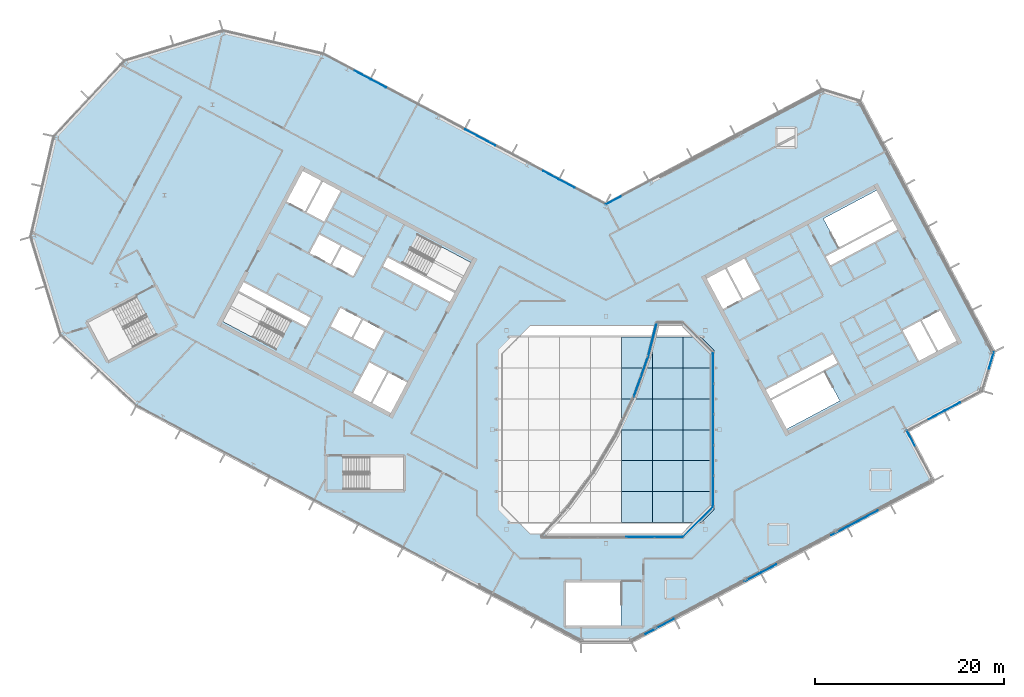
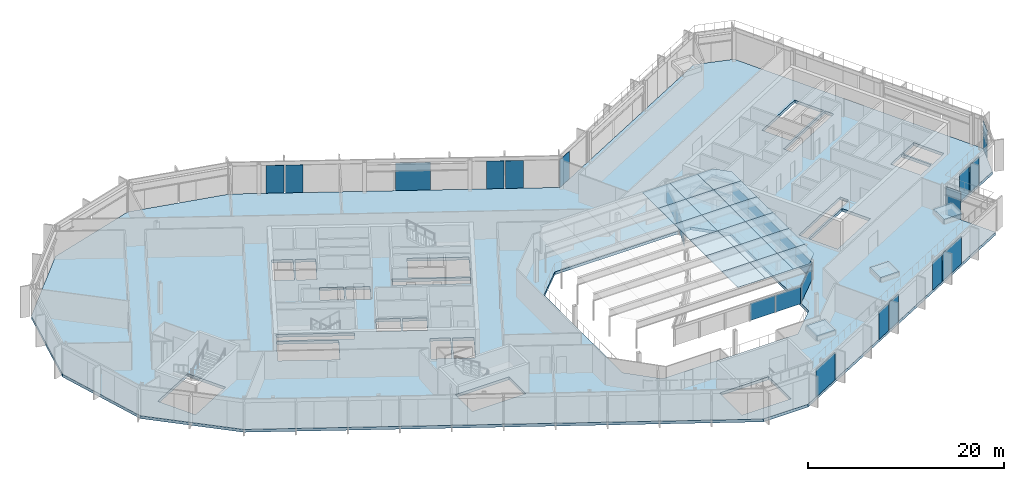
# One storey, part 21 of 35: 44 plates, 4 slabs, 12 elements without a shape of their own.
"""IFC4 building model written with IfcOpenShell, lengths in metres."""

import ifcopenshell
import ifcopenshell.guid

model = None  # the IFC model being written
_history = None  # IfcOwnerHistory: only IFC2X3 demands one
_inside = {}  # id of a spatial element -> (the spatial element, [elements in it])
_under = {}  # id of a project, library or spatial element -> (it, [spatial elements below it])
_declared = {}  # id of a project -> (the project, [libraries it declares])
_typed = {}  # id of a type object -> (the type object, [elements of that type])
_made_of = {}  # id of a material, layer set ... -> (it, [elements and type objects made of it])


def new_model(schema):
    """Start an empty IFC model of exactly this schema.

    Asked for "IFC4X3", IfcOpenShell would pick the latest addendum, in which some entities
    have other attributes; the version numbers below select the first issue.
    IFC2X3 requires an IfcOwnerHistory on every rooted entity: one is made here for all.
    """
    global model, _history
    if schema == "IFC4X3":
        model = ifcopenshell.file(schema_version=(4, 3, 0, 0))
    else:
        model = ifcopenshell.file(schema=schema)
    _inside.clear()
    _under.clear()
    _declared.clear()
    _typed.clear()
    _made_of.clear()
    _history = None
    if model.schema == "IFC2X3":
        org = make("IfcOrganization", Name="unknown")
        user = make(
            "IfcPersonAndOrganization",
            ThePerson=make("IfcPerson", FamilyName="unknown"),
            TheOrganization=org,
        )
        app = make(
            "IfcApplication",
            ApplicationDeveloper=org,
            Version="unknown",
            ApplicationFullName="unknown",
            ApplicationIdentifier="unknown",
        )
        _history = make(
            "IfcOwnerHistory",
            OwningUser=user,
            OwningApplication=app,
            ChangeAction="ADDED",
            CreationDate=0,
        )
    return model


def make(cls, **values):
    """One entity of the class cls with the attributes given. An attribute that is None is left unset."""
    return model.create_entity(
        cls, **{name: value for name, value in values.items() if value is not None}
    )


def rooted(cls, **values):
    """An entity with a GlobalId (a new one), such as an element, a storey or a relation."""
    return make(cls, GlobalId=ifcopenshell.guid.new(), OwnerHistory=_history, **values)


def si_unit(unit_type, name, prefix=None):
    """IfcSIUnit, for example si_unit("LENGTHUNIT", "METRE", prefix="MILLI")."""
    return make("IfcSIUnit", UnitType=unit_type, Prefix=prefix, Name=name)


def assignment(units):
    """IfcUnitAssignment: the units of a project."""
    return None if units is None else make("IfcUnitAssignment", Units=units)


def point(xyz):
    """IfcCartesianPoint."""
    return None if xyz is None else make("IfcCartesianPoint", Coordinates=xyz)


def direction(xyz):
    """IfcDirection."""
    return None if xyz is None else make("IfcDirection", DirectionRatios=xyz)


def frame(location, z_axis=None, x_axis=None):
    """IfcAxis2Placement3D, a coordinate frame: its origin and axes. An axis left out is left unset."""
    return make(
        "IfcAxis2Placement3D",
        Location=point(location),
        Axis=direction(z_axis),
        RefDirection=direction(x_axis),
    )


def frame_2d(location, x_axis=None):
    """IfcAxis2Placement2D, a coordinate frame in the plane: its origin and x axis."""
    return make(
        "IfcAxis2Placement2D", Location=point(location), RefDirection=direction(x_axis)
    )


def origin():
    """The frame at (0, 0, 0) with its axes left unset."""
    return frame((0.0, 0.0, 0.0))


def origin_2d():
    """The frame at (0, 0) in the plane with its x axis left unset."""
    return frame_2d((0.0, 0.0))


def place(relative_to, where):
    """IfcLocalPlacement: puts the frame where relative to a parent placement (None: the world)."""
    return make(
        "IfcLocalPlacement", PlacementRelTo=relative_to, RelativePlacement=where
    )


def context(
    kind, dimensions, precision=None, world=None, true_north=None, identifier=None
):
    """IfcGeometricRepresentationContext, for example the 3D "Model" context."""
    return make(
        "IfcGeometricRepresentationContext",
        ContextIdentifier=identifier,
        ContextType=kind,
        CoordinateSpaceDimension=dimensions,
        Precision=precision,
        WorldCoordinateSystem=world,
        TrueNorth=true_north,
    )


def subcontext(parent, identifier, kind, view, scale=None):
    """IfcGeometricRepresentationSubContext, for example "Body" below "Model"."""
    return make(
        "IfcGeometricRepresentationSubContext",
        ContextIdentifier=identifier,
        ContextType=kind,
        ParentContext=parent,
        TargetScale=scale,
        TargetView=view,
    )


def project(units=None, contexts=None):
    """IfcProject with its units and contexts."""
    return rooted(
        "IfcProject",
        Name="project",
        RepresentationContexts=contexts,
        UnitsInContext=assignment(units),
    )


def spatial(cls, under=None, at=None, **own):
    """A site, building, storey or space (cls), placed at a placement, below another one or the project."""
    s = rooted(cls, ObjectPlacement=at, **own)
    if under is not None:
        _under.setdefault(under.id(), (under, []))[1].append(s)
    return s


def polyline(points):
    """IfcPolyline through the points."""
    return make("IfcPolyline", Points=[point(p) for p in points])


def profile(cls, at=None, kind="AREA", **sizes):
    """A parametric profile (cls). Its sizes go by their IFC names, for example OverallWidth=200.0."""
    return make(cls, ProfileType=kind, Position=at, **sizes)


def rectangle(**sizes):
    """IfcRectangleProfileDef."""
    return profile("IfcRectangleProfileDef", **sizes)


def outline(outer, holes=None, kind="AREA"):
    """IfcArbitraryClosedProfileDef: a profile drawn as a closed curve; with holes, ...WithVoids."""
    if holes is None:
        return make("IfcArbitraryClosedProfileDef", ProfileType=kind, OuterCurve=outer)
    return make(
        "IfcArbitraryProfileDefWithVoids",
        ProfileType=kind,
        OuterCurve=outer,
        InnerCurves=holes,
    )


def extrude(swept, where, along, depth):
    """IfcExtrudedAreaSolid: the profile swept, set in the frame where, extruded along a direction by depth."""
    return make(
        "IfcExtrudedAreaSolid",
        SweptArea=swept,
        Position=where,
        ExtrudedDirection=direction(along),
        Depth=depth,
    )


def shape(context_of_items, identifier, shape_type, items):
    """IfcShapeRepresentation: the items that make up one representation, for example the "Body"."""
    return make(
        "IfcShapeRepresentation",
        ContextOfItems=context_of_items,
        RepresentationIdentifier=identifier,
        RepresentationType=shape_type,
        Items=items,
    )


def material(Name=None, Category=None):
    """IfcMaterial."""
    return make("IfcMaterial", Name=Name, Category=Category)


def layer(
    of_material, thickness, ventilated=None, Name=None, Category=None, Priority=None
):
    """IfcMaterialLayer: one layer of a wall or slab, of a material (None: an air gap)."""
    return make(
        "IfcMaterialLayer",
        Material=of_material,
        LayerThickness=thickness,
        IsVentilated=ventilated,
        Name=Name,
        Category=Category,
        Priority=Priority,
    )


def layer_set(layers, Name=None):
    """IfcMaterialLayerSet."""
    return make("IfcMaterialLayerSet", MaterialLayers=layers, LayerSetName=Name)


def made_of(thing, what):
    """Note that an element or type object is made of a material, layer set ...; save() writes the relation."""
    if what is not None:
        _made_of.setdefault(what.id(), (what, []))[1].append(thing)
    return thing


def type_object(cls, material=None, **own):
    """A type object (cls), such as IfcWallType, which elements share."""
    return made_of(rooted(cls, **own), material)


def element(
    cls,
    number,
    at=None,
    inside=None,
    cuts=None,
    type_object=None,
    material=None,
    context=None,
    identifier="Body",
    shape_type=None,
    held_by="IfcProductDefinitionShape",
    body=None,
    shapes=None,
    **own,
):
    """One element of the class cls, such as IfcWall. Its Tag is "e" and its number.

    at: its placement. inside: the storey or other place that contains it. cuts: it is an
    opening in that element (IfcRelVoidsElement). A single representation is given by context,
    identifier, shape_type and body (its items); several are given by shapes. held_by: the class
    of the entity that holds the representations. save() writes the other relations.
    """
    e = rooted(cls, Tag="e%d" % number, ObjectPlacement=at, **own)
    if body is not None:
        shapes = [shape(context, identifier, shape_type, body)]
    if shapes is not None:
        e.Representation = make(held_by, Representations=shapes)
    if inside is not None:
        _inside.setdefault(inside.id(), (inside, []))[1].append(e)
    if cuts is not None:
        rooted(
            "IfcRelVoidsElement", RelatingBuildingElement=cuts, RelatedOpeningElement=e
        )
    if type_object is not None:
        _typed.setdefault(type_object.id(), (type_object, []))[1].append(e)
    return made_of(e, material)


def aggregate(whole, parts):
    """IfcRelAggregates: a whole, such as a stair, and the parts it consists of."""
    return rooted("IfcRelAggregates", RelatingObject=whole, RelatedObjects=parts)


def save(model, path):
    """Write the relations noted so far, then the file.

    IfcRelAggregates (storeys below a building ...), IfcRelContainedInSpatialStructure (elements
    in a storey), IfcRelDefinesByType, IfcRelAssociatesMaterial and IfcRelDeclares: one each for
    every whole, place, type object, material and project.
    """
    for whole, parts in _under.values():
        aggregate(whole, parts)
    for where, things in _inside.values():
        rooted(
            "IfcRelContainedInSpatialStructure",
            RelatedElements=things,
            RelatingStructure=where,
        )
    for kind, things in _typed.values():
        rooted("IfcRelDefinesByType", RelatedObjects=things, RelatingType=kind)
    for what, things in _made_of.values():
        rooted("IfcRelAssociatesMaterial", RelatedObjects=things, RelatingMaterial=what)
    for by, libraries in _declared.values():
        rooted("IfcRelDeclares", RelatingContext=by, RelatedDefinitions=libraries)
    model.write(path)


model = new_model("IFC4")

# Units and contexts
model_context = context("Model", 3, precision=1e-05, world=origin(), true_north=direction((0.0, 1.0)))
body_context = subcontext(model_context, "Body", "Model", "MODEL_VIEW")
ifc_project = project(units=[si_unit("LENGTHUNIT", "METRE"), si_unit("AREAUNIT", "SQUARE_METRE"), si_unit("VOLUMEUNIT", "CUBIC_METRE"), si_unit("PLANEANGLEUNIT", "RADIAN"), si_unit("MASSUNIT", "GRAM", prefix="KILO")], contexts=[model_context])

# Site, building, storey
site_placement = place(None, origin())
site = spatial("IfcSite", under=ifc_project, at=site_placement, CompositionType="ELEMENT")
building_placement = place(site_placement, origin())
building = spatial("IfcBuilding", under=site, at=building_placement, Name="Cormorant Relay Tower", CompositionType="ELEMENT")
storey_placement = place(building_placement, frame((0.0, 0.0, 324.300048828125)))
storey = spatial("IfcBuildingStorey", under=building, at=storey_placement, Name="L74", CompositionType="ELEMENT", Elevation=324.300048828125)

# Curtain wall, plates
ifc_material_1 = material(Name="Aluminium 6063-T6 anodised bronze", Category="aluminium")
ifc_layer_1 = layer(ifc_material_1, 0.199951171875)
ifc_layer_set_1 = layer_set([ifc_layer_1], Name="CW1 unitised bronze curtain wall with vertical fins")
curtain_wall_type_1 = type_object("IfcCurtainWallType", Name="CW1 unitised bronze curtain wall with vertical fins", PredefinedType="NOTDEFINED", material=ifc_layer_set_1)
curtain_wall_1_placement = place(storey_placement, origin())
curtain_wall_1 = element("IfcCurtainWall", 1, at=curtain_wall_1_placement, inside=storey, type_object=curtain_wall_type_1, Name="CW1 curtain wall 2", PredefinedType="NOTDEFINED")
ifc_material_2 = material(Name="Tinted laminated glass", Category="glass")
ifc_layer_2 = layer(ifc_material_2, 0.0400390625)
ifc_layer_set_2 = layer_set([ifc_layer_2], Name="CW1 tinted vision panel 1800 module")
plate_type_1 = type_object("IfcPlateType", Name="CW1 tinted vision panel 1800 module", PredefinedType="CURTAIN_PANEL", material=ifc_layer_set_2)
plate_1_placement = place(storey_placement, frame((15.48291015625, -15.57421875, 0.0), z_axis=(0.0, 0.0, 1.0), x_axis=(0.882947592859, 0.469471562786, 0.0)))
plate_1 = element("IfcPlate", 2, at=plate_1_placement, type_object=plate_type_1, Name="CW1 panel V03", PredefinedType="CURTAIN_PANEL", context=body_context, shape_type="SweptSolid", body=[
    extrude(rectangle(XDim=1.800048828125, YDim=0.0400390625, at=origin_2d()), origin(), (0.0, 0.0, 1.0), 3.449951171875),
])
plate_2_placement = place(storey_placement, frame((17.20458984375, -14.65869140625, 0.0), z_axis=(0.0, 0.0, 1.0), x_axis=(0.882947592859, 0.469471562786, 0.0)))
plate_2 = element("IfcPlate", 3, at=plate_2_placement, type_object=plate_type_1, Name="CW1 panel V04", PredefinedType="CURTAIN_PANEL", context=body_context, shape_type="SweptSolid", body=[
    extrude(rectangle(XDim=1.800048828125, YDim=0.0400390625, at=origin_2d()), origin(), (0.0, 0.0, 1.0), 3.449951171875),
])
plate_3_placement = place(storey_placement, frame((24.6064453125, -10.72314453125, 0.0), z_axis=(0.0, 0.0, 1.0), x_axis=(0.882947592859, 0.469471562786, 0.0)))
plate_3 = element("IfcPlate", 4, at=plate_3_placement, type_object=plate_type_1, Name="CW1 panel V06", PredefinedType="CURTAIN_PANEL", context=body_context, shape_type="SweptSolid", body=[
    extrude(rectangle(XDim=1.800048828125, YDim=0.0400390625, at=origin_2d()), origin(), (0.0, 0.0, 1.0), 3.449951171875),
])

# Curtain wall, plate
curtain_wall_2_placement = place(storey_placement, origin())
curtain_wall_2 = element("IfcCurtainWall", 5, at=curtain_wall_2_placement, inside=storey, type_object=curtain_wall_type_1, Name="CW1 curtain wall 3", PredefinedType="NOTDEFINED")
plate_4_placement = place(storey_placement, frame((32.204833984375, -0.88427734375, 0.0), z_axis=(0.0, 0.0, 1.0), x_axis=(-0.469471562786, 0.882947592859, 0.0)))
plate_4 = element("IfcPlate", 6, at=plate_4_placement, type_object=plate_type_1, Name="CW1 panel V01", PredefinedType="CURTAIN_PANEL", context=body_context, shape_type="SweptSolid", body=[
    extrude(rectangle(XDim=1.800048828125, YDim=0.0400390625, at=origin_2d()), origin(), (0.0, 0.0, 1.0), 3.449951171875),
])
aggregate(curtain_wall_2, [plate_4])

# Curtain wall, plates
curtain_wall_3_placement = place(storey_placement, origin())
curtain_wall_3 = element("IfcCurtainWall", 7, at=curtain_wall_3_placement, inside=storey, type_object=curtain_wall_type_1, Name="CW1 curtain wall 4", PredefinedType="NOTDEFINED")
plate_5_placement = place(storey_placement, frame((34.886474609375, 1.5380859375, 0.0), z_axis=(0.0, 0.0, 1.0), x_axis=(0.882947592859, 0.469471562786, 0.0)))
plate_5 = element("IfcPlate", 8, at=plate_5_placement, type_object=plate_type_1, Name="CW1 panel V01", PredefinedType="CURTAIN_PANEL", context=body_context, shape_type="SweptSolid", body=[
    extrude(rectangle(XDim=1.800048828125, YDim=0.0400390625, at=origin_2d()), origin(), (0.0, 0.0, 1.0), 3.449951171875),
])
plate_6_placement = place(storey_placement, frame((36.608154296875, 2.45361328125, 0.0), z_axis=(0.0, 0.0, 1.0), x_axis=(0.882947592859, 0.469471562786, 0.0)))
plate_6 = element("IfcPlate", 9, at=plate_6_placement, type_object=plate_type_1, Name="CW1 panel V02", PredefinedType="CURTAIN_PANEL", context=body_context, shape_type="SweptSolid", body=[
    extrude(rectangle(XDim=1.800048828125, YDim=0.0400390625, at=origin_2d()), origin(), (0.0, 0.0, 1.0), 3.449951171875),
])
aggregate(curtain_wall_3, [plate_5, plate_6])

# Curtain wall, plate
curtain_wall_4_placement = place(storey_placement, origin())
curtain_wall_4 = element("IfcCurtainWall", 10, at=curtain_wall_4_placement, inside=storey, type_object=curtain_wall_type_1, Name="CW1 curtain wall 5", PredefinedType="NOTDEFINED")
plate_7_placement = place(storey_placement, frame((40.70751953125, 7.31689453125, 0.0), z_axis=(0.0, 0.0, 1.0), x_axis=(0.292371704723, 0.956304755963, 0.0)))
plate_7 = element("IfcPlate", 11, at=plate_7_placement, type_object=plate_type_1, Name="CW1 panel V01", PredefinedType="CURTAIN_PANEL", context=body_context, shape_type="SweptSolid", body=[
    extrude(rectangle(XDim=1.800048828125, YDim=0.0400390625, at=origin_2d()), origin(), (0.0, 0.0, 1.0), 3.449951171875),
])
aggregate(curtain_wall_4, [plate_7])

curtain_wall_5_placement = place(storey_placement, origin())
curtain_wall_5 = element("IfcCurtainWall", 12, at=curtain_wall_5_placement, inside=storey, type_object=curtain_wall_type_1, Name="CW1 curtain wall 8", PredefinedType="NOTDEFINED")
plate_8_placement = place(storey_placement, frame((0.785400390625, 24.22412109375, 0.0), z_axis=(0.0, 0.0, 1.0), x_axis=(-0.882947592859, -0.469471562786, 0.0)))
plate_8 = element("IfcPlate", 13, at=plate_8_placement, type_object=plate_type_1, Name="CW1 panel V06", PredefinedType="CURTAIN_PANEL", context=body_context, shape_type="SweptSolid", body=[
    extrude(rectangle(XDim=1.800048828125, YDim=0.0400390625, at=origin_2d()), origin(), (0.0, 0.0, 1.0), 3.449951171875),
])
aggregate(curtain_wall_5, [plate_8])

# Curtain wall, plates
curtain_wall_6_placement = place(storey_placement, origin())
curtain_wall_6 = element("IfcCurtainWall", 14, at=curtain_wall_6_placement, inside=storey, type_object=curtain_wall_type_1, Name="CW1 curtain wall 9", PredefinedType="NOTDEFINED")
plate_9_placement = place(storey_placement, frame((-4.108642578125, 25.9912109375, 0.0), z_axis=(0.0, 0.0, 1.0), x_axis=(-0.882947592859, 0.469471562786, 0.0)))
plate_9 = element("IfcPlate", 15, at=plate_9_placement, type_object=plate_type_1, Name="CW1 panel V01", PredefinedType="CURTAIN_PANEL", context=body_context, shape_type="SweptSolid", body=[
    extrude(rectangle(XDim=1.800048828125, YDim=0.0400390625, at=origin_2d()), origin(), (0.0, 0.0, 1.0), 3.449951171875),
])
plate_10_placement = place(storey_placement, frame((-5.830322265625, 26.90673828125, 0.0), z_axis=(0.0, 0.0, 1.0), x_axis=(-0.882947592859, 0.469471562786, 0.0)))
plate_10 = element("IfcPlate", 16, at=plate_10_placement, type_object=plate_type_1, Name="CW1 panel V02", PredefinedType="CURTAIN_PANEL", context=body_context, shape_type="SweptSolid", body=[
    extrude(rectangle(XDim=1.800048828125, YDim=0.0400390625, at=origin_2d()), origin(), (0.0, 0.0, 1.0), 3.449951171875),
])
plate_11_placement = place(storey_placement, frame((-24.0244140625, 36.580810546875, 0.0), z_axis=(0.0, 0.0, 1.0), x_axis=(-0.882947592859, 0.469471562786, 0.0)))
plate_11 = element("IfcPlate", 17, at=plate_11_placement, type_object=plate_type_1, Name="CW1 panel V06", PredefinedType="CURTAIN_PANEL", context=body_context, shape_type="SweptSolid", body=[
    extrude(rectangle(XDim=1.800048828125, YDim=0.0400390625, at=origin_2d()), origin(), (0.0, 0.0, 1.0), 3.449951171875),
])
plate_12_placement = place(storey_placement, frame((-25.746337890625, 37.49609375, 0.0), z_axis=(0.0, 0.0, 1.0), x_axis=(-0.882947592859, 0.469471562786, 0.0)))
plate_12 = element("IfcPlate", 18, at=plate_12_placement, type_object=plate_type_1, Name="CW1 panel V07", PredefinedType="CURTAIN_PANEL", context=body_context, shape_type="SweptSolid", body=[
    extrude(rectangle(XDim=1.800048828125, YDim=0.0400390625, at=origin_2d()), origin(), (0.0, 0.0, 1.0), 3.449951171875),
])

# Plate
ifc_material_3 = material(Name="Tinted laminated glass", Category="glass")
ifc_layer_3 = layer(ifc_material_3, 0.0400390625)
ifc_layer_set_3 = layer_set([ifc_layer_3], Name="CW1 tinted vision panel 3600 module")
plate_type_2 = type_object("IfcPlateType", Name="CW1 tinted vision panel 3600 module", PredefinedType="CURTAIN_PANEL", material=ifc_layer_set_3)
plate_13_placement = place(storey_placement, frame((5.564453125, -20.847900390625, 0.0), z_axis=(0.0, 0.0, 1.0), x_axis=(0.882947592859, 0.469471562786, 0.0)))
plate_13 = element("IfcPlate", 19, at=plate_13_placement, type_object=plate_type_2, Name="CW1 panel V01", PredefinedType="CURTAIN_PANEL", context=body_context, shape_type="SweptSolid", body=[
    extrude(rectangle(XDim=3.60009765625, YDim=0.0400390625, at=origin_2d()), origin(), (0.0, 0.0, 1.0), 3.449951171875),
])

plate_14_placement = place(storey_placement, frame((27.122802734375, -9.38525390625, 0.0), z_axis=(0.0, 0.0, 1.0), x_axis=(0.882947592859, 0.469471562786, 0.0)))
plate_14 = element("IfcPlate", 20, at=plate_14_placement, type_object=plate_type_2, Name="CW1 panel V07", PredefinedType="CURTAIN_PANEL", context=body_context, shape_type="SweptSolid", body=[
    extrude(rectangle(XDim=3.60009765625, YDim=0.0400390625, at=origin_2d()), origin(), (0.0, 0.0, 1.0), 3.449951171875),
])

aggregate(curtain_wall_1, [plate_13, plate_1, plate_2, plate_3, plate_14])

plate_15_placement = place(storey_placement, frame((-13.27197265625, 30.86328125, 0.0), z_axis=(0.0, 0.0, 1.0), x_axis=(-0.882947592859, 0.469471562786, 0.0)))
plate_15 = element("IfcPlate", 21, at=plate_15_placement, type_object=plate_type_2, Name="CW1 panel V04", PredefinedType="CURTAIN_PANEL", context=body_context, shape_type="SweptSolid", body=[
    extrude(rectangle(XDim=3.60009765625, YDim=0.0400390625, at=origin_2d()), origin(), (0.0, 0.0, 1.0), 3.449951171875),
])

aggregate(curtain_wall_6, [plate_9, plate_10, plate_15, plate_11, plate_12])

# Curtain wall, plate
ifc_material_4 = material(Name="Aluminium 6063-T6 anodised bronze", Category="aluminium")
ifc_layer_4 = layer(ifc_material_4, 0.199951171875)
ifc_layer_set_4 = layer_set([ifc_layer_4], Name="CW5 atrium lantern curtain wall")
curtain_wall_type_2 = type_object("IfcCurtainWallType", Name="CW5 atrium lantern curtain wall", PredefinedType="NOTDEFINED", material=ifc_layer_set_4)
curtain_wall_7_placement = place(storey_placement, origin())
curtain_wall_7 = element("IfcCurtainWall", 22, at=curtain_wall_7_placement, inside=storey, type_object=curtain_wall_type_2, Name="CW5 atrium lantern wall 1", PredefinedType="NOTDEFINED")
ifc_material_5 = material(Name="Clear laminated glass", Category="glass")
ifc_layer_5 = layer(ifc_material_5, 0.0400390625)
ifc_layer_set_5 = layer_set([ifc_layer_5], Name="CW5 clear laminated glass panel 40")
plate_type_3 = type_object("IfcPlateType", Name="CW5 clear laminated glass panel 40", PredefinedType="CURTAIN_PANEL", material=ifc_layer_set_5)
plate_16_placement = place(storey_placement, frame((4.90771484375, 9.512451171875, 3.89990234375), z_axis=(0.0, 0.0, 1.0), x_axis=(-0.242980179903, -0.970031253195, 0.0)))
plate_16 = element("IfcPlate", 23, at=plate_16_placement, type_object=plate_type_3, Name="CW5 panel 1.1", PredefinedType="CURTAIN_PANEL", context=body_context, shape_type="SweptSolid", body=[
    extrude(rectangle(XDim=3.6357421875, YDim=0.0400390625, at=origin_2d()), origin(), (0.0, 0.0, 1.0), 2.14990234375),
])
aggregate(curtain_wall_7, [plate_16])

# Curtain wall, plates
curtain_wall_8_placement = place(storey_placement, origin())
curtain_wall_8 = element("IfcCurtainWall", 24, at=curtain_wall_8_placement, inside=storey, type_object=curtain_wall_type_2, Name="CW5 atrium lantern wall 2", PredefinedType="NOTDEFINED")
plate_17_placement = place(storey_placement, frame((4.077392578125, 6.654541015625, 3.89990234375), z_axis=(0.0, 0.0, 1.0), x_axis=(-0.336889853392, -0.941544065183, 0.0)))
plate_17 = element("IfcPlate", 25, at=plate_17_placement, type_object=plate_type_3, Name="CW5 panel 2.1", PredefinedType="CURTAIN_PANEL", context=body_context, shape_type="SweptSolid", body=[
    extrude(rectangle(XDim=2.206787109375, YDim=0.0400390625, at=origin_2d()), origin(), (0.0, 0.0, 1.0), 2.14990234375),
])
plate_18_placement = place(storey_placement, frame((3.313720703125, 4.52001953125, 3.89990234375), z_axis=(0.0, 0.0, 1.0), x_axis=(-0.336889853392, -0.941544065183, 0.0)))
plate_18 = element("IfcPlate", 26, at=plate_18_placement, type_object=plate_type_3, Name="CW5 panel 2.2", PredefinedType="CURTAIN_PANEL", context=body_context, shape_type="SweptSolid", body=[
    extrude(rectangle(XDim=2.206787109375, YDim=0.0400390625, at=origin_2d()), origin(), (0.0, 0.0, 1.0), 2.14990234375),
])
aggregate(curtain_wall_8, [plate_17, plate_18])

curtain_wall_9_placement = place(storey_placement, origin())
curtain_wall_9 = element("IfcCurtainWall", 27, at=curtain_wall_9_placement, inside=storey, type_object=curtain_wall_type_2, Name="CW5 atrium lantern wall 7", PredefinedType="NOTDEFINED")
plate_19_placement = place(storey_placement, frame((3.633544921875, -11.320068359375, 3.89990234375), z_axis=(0.0, 0.0, 1.0), x_axis=(1.0, 0.0, 0.0)))
plate_19 = element("IfcPlate", 28, at=plate_19_placement, type_object=plate_type_3, Name="CW5 panel 7.4", PredefinedType="CURTAIN_PANEL", context=body_context, shape_type="SweptSolid", body=[
    extrude(rectangle(XDim=2.933837890625, YDim=0.0400390625, at=origin_2d()), origin(), (0.0, 0.0, 1.0), 2.14990234375),
])
plate_20_placement = place(storey_placement, frame((6.62744140625, -11.320068359375, 3.89990234375), z_axis=(0.0, 0.0, 1.0), x_axis=(1.0, 0.0, 0.0)))
plate_20 = element("IfcPlate", 29, at=plate_20_placement, type_object=plate_type_3, Name="CW5 panel 7.5", PredefinedType="CURTAIN_PANEL", context=body_context, shape_type="SweptSolid", body=[
    extrude(rectangle(XDim=2.933837890625, YDim=0.0400390625, at=origin_2d()), origin(), (0.0, 0.0, 1.0), 2.14990234375),
])
aggregate(curtain_wall_9, [plate_19, plate_20])

# Curtain wall, plate
curtain_wall_10_placement = place(storey_placement, origin())
curtain_wall_10 = element("IfcCurtainWall", 30, at=curtain_wall_10_placement, inside=storey, type_object=curtain_wall_type_2, Name="CW5 atrium lantern wall 8", PredefinedType="NOTDEFINED")
plate_21_placement = place(storey_placement, frame((9.726318359375, -9.726318359375, 3.89990234375), z_axis=(0.0, 0.0, 1.0), x_axis=(0.707106781187, 0.707106781187, 0.0)))
plate_21 = element("IfcPlate", 31, at=plate_21_placement, type_object=plate_type_3, Name="CW5 panel 8.1", PredefinedType="CURTAIN_PANEL", context=body_context, shape_type="SweptSolid", body=[
    extrude(rectangle(XDim=4.43115234375, YDim=0.0400390625, at=origin_2d()), origin(), (0.0, 0.0, 1.0), 2.14990234375),
])
aggregate(curtain_wall_10, [plate_21])

# Curtain wall, plates
curtain_wall_11_placement = place(storey_placement, origin())
curtain_wall_11 = element("IfcCurtainWall", 32, at=curtain_wall_11_placement, inside=storey, type_object=curtain_wall_type_2, Name="CW5 atrium lantern wall 9", PredefinedType="NOTDEFINED")
plate_22_placement = place(storey_placement, frame((11.320068359375, -6.49951171875, 3.89990234375), z_axis=(0.0, 0.0, 1.0), x_axis=(0.0, 1.0, 0.0)))
plate_22 = element("IfcPlate", 33, at=plate_22_placement, type_object=plate_type_3, Name="CW5 panel 9.1", PredefinedType="CURTAIN_PANEL", context=body_context, shape_type="SweptSolid", body=[
    extrude(rectangle(XDim=3.189697265625, YDim=0.0400390625, at=origin_2d()), origin(), (0.0, 0.0, 1.0), 2.14990234375),
])
plate_23_placement = place(storey_placement, frame((11.320068359375, -3.249755859375, 3.89990234375), z_axis=(0.0, 0.0, 1.0), x_axis=(0.0, 1.0, 0.0)))
plate_23 = element("IfcPlate", 34, at=plate_23_placement, type_object=plate_type_3, Name="CW5 panel 9.2", PredefinedType="CURTAIN_PANEL", context=body_context, shape_type="SweptSolid", body=[
    extrude(rectangle(XDim=3.189697265625, YDim=0.0400390625, at=origin_2d()), origin(), (0.0, 0.0, 1.0), 2.14990234375),
])
plate_24_placement = place(storey_placement, frame((11.320068359375, 0.0, 3.89990234375), z_axis=(0.0, 0.0, 1.0), x_axis=(0.0, 1.0, 0.0)))
plate_24 = element("IfcPlate", 35, at=plate_24_placement, type_object=plate_type_3, Name="CW5 panel 9.3", PredefinedType="CURTAIN_PANEL", context=body_context, shape_type="SweptSolid", body=[
    extrude(rectangle(XDim=3.189697265625, YDim=0.0400390625, at=origin_2d()), origin(), (0.0, 0.0, 1.0), 2.14990234375),
])
plate_25_placement = place(storey_placement, frame((11.320068359375, 3.249755859375, 3.89990234375), z_axis=(0.0, 0.0, 1.0), x_axis=(0.0, 1.0, 0.0)))
plate_25 = element("IfcPlate", 36, at=plate_25_placement, type_object=plate_type_3, Name="CW5 panel 9.4", PredefinedType="CURTAIN_PANEL", context=body_context, shape_type="SweptSolid", body=[
    extrude(rectangle(XDim=3.189697265625, YDim=0.0400390625, at=origin_2d()), origin(), (0.0, 0.0, 1.0), 2.14990234375),
])
plate_26_placement = place(storey_placement, frame((11.320068359375, 6.49951171875, 3.89990234375), z_axis=(0.0, 0.0, 1.0), x_axis=(0.0, 1.0, 0.0)))
plate_26 = element("IfcPlate", 37, at=plate_26_placement, type_object=plate_type_3, Name="CW5 panel 9.5", PredefinedType="CURTAIN_PANEL", context=body_context, shape_type="SweptSolid", body=[
    extrude(rectangle(XDim=3.189697265625, YDim=0.0400390625, at=origin_2d()), origin(), (0.0, 0.0, 1.0), 2.14990234375),
])
aggregate(curtain_wall_11, [plate_22, plate_23, plate_24, plate_25, plate_26])

curtain_wall_12_placement = place(storey_placement, origin())
curtain_wall_12 = element("IfcCurtainWall", 38, at=curtain_wall_12_placement, inside=storey, type_object=curtain_wall_type_2, Name="CW5 atrium lantern roof", PredefinedType="NOTDEFINED")
ifc_material_6 = material(Name="Clear laminated glass", Category="glass")
ifc_layer_6 = layer(ifc_material_6, 0.0400390625)
ifc_layer_set_6 = layer_set([ifc_layer_6], Name="CW5 roof glass panel 40")
plate_type_4 = type_object("IfcPlateType", Name="CW5 roof glass panel 40", PredefinedType="CURTAIN_PANEL", material=ifc_layer_set_6)
plate_27_placement = place(storey_placement, frame((4.894287109375, -9.78857421875, 7.2900390625), z_axis=(0.0, 0.0, 1.0), x_axis=(0.0, 1.0, 0.0)))
plate_27 = element("IfcPlate", 39, at=plate_27_placement, type_object=plate_type_4, Name="CW5 roof panel 5", PredefinedType="CURTAIN_PANEL", context=body_context, shape_type="SweptSolid", body=[
    extrude(outline(polyline([(0.0, 0.0), (3.262939453125, 0.0), (3.262939453125, 3.262939453125), (0.0, 3.262939453125), (0.0, 0.0)])), origin(), (0.0, 0.0, -1.0), 0.0400390625),
])
plate_28_placement = place(storey_placement, frame((8.156982421875, -9.78857421875, 7.2900390625), z_axis=(0.0, 0.0, 1.0), x_axis=(0.0, 1.0, 0.0)))
plate_28 = element("IfcPlate", 40, at=plate_28_placement, type_object=plate_type_4, Name="CW5 roof panel 6", PredefinedType="CURTAIN_PANEL", context=body_context, shape_type="SweptSolid", body=[
    extrude(outline(polyline([(0.0, 0.0), (3.262939453125, 0.0), (3.262939453125, 3.2626953125), (0.0, 3.2626953125), (0.0, 0.0)])), origin(), (0.0, 0.0, -1.0), 0.0400390625),
])
plate_29_placement = place(storey_placement, frame((11.419921875, -6.525634765625, 7.2900390625), z_axis=(0.0, 0.0, 1.0), x_axis=(-1.0, 0.0, 0.0)))
plate_29 = element("IfcPlate", 41, at=plate_29_placement, type_object=plate_type_4, Name="CW5 roof panel 7", PredefinedType="CURTAIN_PANEL", context=body_context, shape_type="SweptSolid", body=[
    extrude(outline(polyline([(0.0, 0.0), (3.262939453125, 0.0), (3.262939453125, 3.262939453125), (1.368408203125, 3.262939453125), (0.0, 1.894287109375), (0.0, 0.0)])), origin(), (0.0, 0.0, -1.0), 0.0400390625),
])
plate_30_placement = place(storey_placement, frame((4.894287109375, -6.525634765625, 7.2900390625), z_axis=(0.0, 0.0, 1.0), x_axis=(0.0, 1.0, 0.0)))
plate_30 = element("IfcPlate", 42, at=plate_30_placement, type_object=plate_type_4, Name="CW5 roof panel 12", PredefinedType="CURTAIN_PANEL", context=body_context, shape_type="SweptSolid", body=[
    extrude(outline(polyline([(0.0, 0.0), (3.2626953125, 0.0), (3.2626953125, 3.262939453125), (0.0, 3.262939453125), (0.0, 0.0)])), origin(), (0.0, 0.0, -1.0), 0.0400390625),
])
plate_31_placement = place(storey_placement, frame((8.156982421875, -6.525634765625, 7.2900390625), z_axis=(0.0, 0.0, 1.0), x_axis=(0.0, 1.0, 0.0)))
plate_31 = element("IfcPlate", 43, at=plate_31_placement, type_object=plate_type_4, Name="CW5 roof panel 13", PredefinedType="CURTAIN_PANEL", context=body_context, shape_type="SweptSolid", body=[
    extrude(outline(polyline([(0.0, 0.0), (3.2626953125, 0.0), (3.2626953125, 3.2626953125), (0.0, 3.2626953125), (0.0, 0.0)])), origin(), (0.0, 0.0, -1.0), 0.0400390625),
])
plate_32_placement = place(storey_placement, frame((11.419921875, -3.262939453125, 7.2900390625), z_axis=(0.0, 0.0, 1.0), x_axis=(-1.0, 0.0, 0.0)))
plate_32 = element("IfcPlate", 44, at=plate_32_placement, type_object=plate_type_4, Name="CW5 roof panel 14", PredefinedType="CURTAIN_PANEL", context=body_context, shape_type="SweptSolid", body=[
    extrude(outline(polyline([(0.0, 0.0), (3.262939453125, 0.0), (3.262939453125, 3.2626953125), (0.0, 3.2626953125), (0.0, 0.0)])), origin(), (0.0, 0.0, -1.0), 0.0400390625),
])
plate_33_placement = place(storey_placement, frame((4.894287109375, -3.262939453125, 7.2900390625), z_axis=(0.0, 0.0, 1.0), x_axis=(0.0, 1.0, 0.0)))
plate_33 = element("IfcPlate", 45, at=plate_33_placement, type_object=plate_type_4, Name="CW5 roof panel 19", PredefinedType="CURTAIN_PANEL", context=body_context, shape_type="SweptSolid", body=[
    extrude(outline(polyline([(0.0, 0.0), (3.262939453125, 0.0), (3.262939453125, 3.262939453125), (0.0, 3.262939453125), (0.0, 0.0)])), origin(), (0.0, 0.0, -1.0), 0.0400390625),
])
plate_34_placement = place(storey_placement, frame((8.156982421875, -3.262939453125, 7.2900390625), z_axis=(0.0, 0.0, 1.0), x_axis=(0.0, 1.0, 0.0)))
plate_34 = element("IfcPlate", 46, at=plate_34_placement, type_object=plate_type_4, Name="CW5 roof panel 20", PredefinedType="CURTAIN_PANEL", context=body_context, shape_type="SweptSolid", body=[
    extrude(outline(polyline([(0.0, 0.0), (3.262939453125, 0.0), (3.262939453125, 3.2626953125), (0.0, 3.2626953125), (0.0, 0.0)])), origin(), (0.0, 0.0, -1.0), 0.0400390625),
])
plate_35_placement = place(storey_placement, frame((11.419921875, 0.0, 7.2900390625), z_axis=(0.0, 0.0, 1.0), x_axis=(-1.0, 0.0, 0.0)))
plate_35 = element("IfcPlate", 47, at=plate_35_placement, type_object=plate_type_4, Name="CW5 roof panel 21", PredefinedType="CURTAIN_PANEL", context=body_context, shape_type="SweptSolid", body=[
    extrude(outline(polyline([(0.0, 0.0), (3.262939453125, 0.0), (3.262939453125, 3.262939453125), (0.0, 3.262939453125), (0.0, 0.0)])), origin(), (0.0, 0.0, -1.0), 0.0400390625),
])
plate_36_placement = place(storey_placement, frame((4.894287109375, 0.0, 7.2900390625), z_axis=(0.0, 0.0, 1.0), x_axis=(0.0, 1.0, 0.0)))
plate_36 = element("IfcPlate", 48, at=plate_36_placement, type_object=plate_type_4, Name="CW5 roof panel 26", PredefinedType="CURTAIN_PANEL", context=body_context, shape_type="SweptSolid", body=[
    extrude(outline(polyline([(0.0, 0.0), (3.262939453125, 0.0), (3.262939453125, 3.262939453125), (0.0, 3.262939453125), (0.0, 0.0)])), origin(), (0.0, 0.0, -1.0), 0.0400390625),
])
plate_37_placement = place(storey_placement, frame((8.156982421875, 0.0, 7.2900390625), z_axis=(0.0, 0.0, 1.0), x_axis=(0.0, 1.0, 0.0)))
plate_37 = element("IfcPlate", 49, at=plate_37_placement, type_object=plate_type_4, Name="CW5 roof panel 27", PredefinedType="CURTAIN_PANEL", context=body_context, shape_type="SweptSolid", body=[
    extrude(outline(polyline([(0.0, 0.0), (3.262939453125, 0.0), (3.262939453125, 3.2626953125), (0.0, 3.2626953125), (0.0, 0.0)])), origin(), (0.0, 0.0, -1.0), 0.0400390625),
])
plate_38_placement = place(storey_placement, frame((11.419921875, 3.262939453125, 7.2900390625), z_axis=(0.0, 0.0, 1.0), x_axis=(-1.0, 0.0, 0.0)))
plate_38 = element("IfcPlate", 50, at=plate_38_placement, type_object=plate_type_4, Name="CW5 roof panel 28", PredefinedType="CURTAIN_PANEL", context=body_context, shape_type="SweptSolid", body=[
    extrude(outline(polyline([(0.0, 0.0), (3.262939453125, 0.0), (3.262939453125, 3.262939453125), (0.0, 3.262939453125), (0.0, 0.0)])), origin(), (0.0, 0.0, -1.0), 0.0400390625),
])
plate_39_placement = place(storey_placement, frame((4.894287109375, 3.262939453125, 7.2900390625), z_axis=(0.0, 0.0, 1.0), x_axis=(0.0, 1.0, 0.0)))
plate_39 = element("IfcPlate", 51, at=plate_39_placement, type_object=plate_type_4, Name="CW5 roof panel 33", PredefinedType="CURTAIN_PANEL", context=body_context, shape_type="SweptSolid", body=[
    extrude(outline(polyline([(0.0, 0.0), (3.2626953125, 0.0), (3.2626953125, 3.262939453125), (0.0, 3.262939453125), (0.0, 0.0)])), origin(), (0.0, 0.0, -1.0), 0.0400390625),
])
plate_40_placement = place(storey_placement, frame((8.156982421875, 3.262939453125, 7.2900390625), z_axis=(0.0, 0.0, 1.0), x_axis=(0.0, 1.0, 0.0)))
plate_40 = element("IfcPlate", 52, at=plate_40_placement, type_object=plate_type_4, Name="CW5 roof panel 34", PredefinedType="CURTAIN_PANEL", context=body_context, shape_type="SweptSolid", body=[
    extrude(outline(polyline([(0.0, 0.0), (3.2626953125, 0.0), (3.2626953125, 3.2626953125), (0.0, 3.2626953125), (0.0, 0.0)])), origin(), (0.0, 0.0, -1.0), 0.0400390625),
])
plate_41_placement = place(storey_placement, frame((11.419921875, 6.525634765625, 7.2900390625), z_axis=(0.0, 0.0, 1.0), x_axis=(-1.0, 0.0, 0.0)))
plate_41 = element("IfcPlate", 53, at=plate_41_placement, type_object=plate_type_4, Name="CW5 roof panel 35", PredefinedType="CURTAIN_PANEL", context=body_context, shape_type="SweptSolid", body=[
    extrude(outline(polyline([(0.0, 0.0), (3.262939453125, 0.0), (3.262939453125, 3.2626953125), (0.0, 3.2626953125), (0.0, 0.0)])), origin(), (0.0, 0.0, -1.0), 0.0400390625),
])
plate_42_placement = place(storey_placement, frame((4.894287109375, 6.525634765625, 7.2900390625), z_axis=(0.0, 0.0, 1.0), x_axis=(0.0, 1.0, 0.0)))
plate_42 = element("IfcPlate", 54, at=plate_42_placement, type_object=plate_type_4, Name="CW5 roof panel 40", PredefinedType="CURTAIN_PANEL", context=body_context, shape_type="SweptSolid", body=[
    extrude(outline(polyline([(0.0, 0.0), (3.262939453125, 0.0), (3.262939453125, 3.262939453125), (0.0, 3.262939453125), (0.0, 0.0)])), origin(), (0.0, 0.0, -1.0), 0.0400390625),
])
plate_43_placement = place(storey_placement, frame((8.156982421875, 6.525634765625, 7.2900390625), z_axis=(0.0, 0.0, 1.0), x_axis=(0.0, 1.0, 0.0)))
plate_43 = element("IfcPlate", 55, at=plate_43_placement, type_object=plate_type_4, Name="CW5 roof panel 41", PredefinedType="CURTAIN_PANEL", context=body_context, shape_type="SweptSolid", body=[
    extrude(outline(polyline([(0.0, 0.0), (3.262939453125, 0.0), (3.262939453125, 3.2626953125), (0.0, 3.2626953125), (0.0, 0.0)])), origin(), (0.0, 0.0, -1.0), 0.0400390625),
])
plate_44_placement = place(storey_placement, frame((11.419921875, 8.419921875, 7.2900390625), z_axis=(0.0, 0.0, 1.0), x_axis=(-0.707043705786, 0.707169850961, 0.0)))
plate_44 = element("IfcPlate", 56, at=plate_44_placement, type_object=plate_type_4, Name="CW5 roof panel 42", PredefinedType="CURTAIN_PANEL", context=body_context, shape_type="SweptSolid", body=[
    extrude(outline(polyline([(0.0, 0.0), (1.9353940809127634, 0.0), (3.2749104766402937, 1.339755381703574), (0.9674580698789186, 3.6467961843966723), (-1.3395827328141794, 1.3393437776352972), (0.0, 0.0)])), origin(), (0.0, 0.0, -1.0), 0.0400390625),
])
aggregate(curtain_wall_12, [plate_27, plate_28, plate_29, plate_30, plate_31, plate_32, plate_33, plate_34, plate_35, plate_36, plate_37, plate_38, plate_39, plate_40, plate_41, plate_42, plate_43, plate_44])

# Slabs
ifc_material_7 = material(Name="Concrete 40 MPa", Category="concrete")
ifc_layer_7 = layer(ifc_material_7, 0.360107421875)
ifc_layer_set_7 = layer_set([ifc_layer_7], Name="Flat plate 360")
slab_type_1 = type_object("IfcSlabType", Name="Flat plate 360", PredefinedType="FLOOR", material=ifc_layer_set_7)
slab_1_placement = place(storey_placement, frame((0.0, 0.0, -0.360107421875)))
element("IfcSlab", 57, at=slab_1_placement, inside=storey, type_object=slab_type_1, Name="Floor slab L74", PredefinedType="FLOOR", context=body_context, shape_type="SweptSolid", body=[
    extrude(outline(polyline([(-60.7197265625, 20.393310546875), (-58.2744140625, 30.985107421875), (-50.86083984375, 38.935302734375), (-40.465576171875, 42.11328125), (-29.873779296875, 39.668212890625), (0.0, 23.783935546875), (22.810302734375, 35.912353515625), (26.867431640625, 34.671875), (40.95166015625, 8.18359375), (39.711181640625, 4.126220703125), (31.7646484375, -0.09912109375), (34.581298828125, -5.396728515625), (2.648681640625, -22.37548828125), (-2.648681640625, -22.37548828125), (-49.591552734375, 2.584228515625), (-57.541748046875, 9.997802734375), (-60.7197265625, 20.393310546875)]), holes=[polyline([(11.0, -8.0), (11.0, 8.0), (8.0, 11.0), (-8.0, 11.0), (-11.0, 8.0), (-11.0, -8.0), (-8.0, -11.0), (8.0, -11.0), (11.0, -8.0)]), polyline([(-21.39990234375, -6.324951171875), (-21.39990234375, -2.875), (-27.75, -2.875), (-27.75, -6.324951171875), (-21.39990234375, -6.324951171875)]), polyline([(-22.95458984375, 6.03271484375), (-24.668212890625, 2.81005859375), (-22.725830078125, 1.777099609375), (-21.01220703125, 5.0), (-23.04296875, 6.07958984375), (-22.95458984375, 6.03271484375)]), polyline([(-24.985595703125, 7.112548828125), (-26.69921875, 3.889892578125), (-24.844970703125, 2.90380859375), (-23.13134765625, 6.126708984375), (-23.04296875, 6.07958984375), (-24.985595703125, 7.112548828125)]), polyline([(-26.688720703125, 9.660400390625), (-24.481201171875, 8.48681640625), (-23.448486328125, 10.42919921875), (-25.656005859375, 11.602783203125), (-26.688720703125, 9.660400390625)]), polyline([(-49.57861328125, 14.0537109375), (-54.69970703125, 11.330810546875), (-52.563720703125, 7.3134765625), (-47.442626953125, 10.036376953125), (-49.57861328125, 14.0537109375)]), polyline([(-28.039794921875, 12.870361328125), (-29.07275390625, 10.927978515625), (-26.865234375, 9.75439453125), (-25.83251953125, 11.69677734375), (-28.039794921875, 12.870361328125)]), polyline([(-33.240966796875, 11.502197265625), (-38.847900390625, 14.483154296875), (-40.46728515625, 11.43701171875), (-34.860595703125, 8.455810546875), (-33.240966796875, 11.502197265625)]), polyline([(-38.260986328125, 15.5869140625), (-38.75390625, 14.659912109375), (-31.690185546875, 10.904052734375), (-31.197265625, 11.8310546875), (-38.260986328125, 15.5869140625)]), polyline([(-25.670166015625, 18.17919921875), (-27.87744140625, 19.35302734375), (-28.910400390625, 17.410400390625), (-26.702880859375, 16.23681640625), (-25.670166015625, 18.17919921875)]), polyline([(-30.261474609375, 20.62060546875), (-31.294189453125, 18.677978515625), (-29.0869140625, 17.50439453125), (-28.053955078125, 19.447021484375), (-30.261474609375, 20.62060546875)]), polyline([(-31.611572265625, 22.980712890625), (-29.75732421875, 21.99462890625), (-28.043701171875, 25.217529296875), (-29.89794921875, 26.203369140625), (-31.611572265625, 22.980712890625)]), polyline([(-33.73046875, 24.107421875), (-31.7880859375, 23.074462890625), (-30.074462890625, 26.29736328125), (-32.01708984375, 27.330078125), (-33.73046875, 24.107421875)]), polyline([(1.60009765625, -16.125), (-4.199951171875, -16.125), (-4.199951171875, -20.675048828125), (1.60009765625, -20.675048828125), (1.60009765625, -16.125)]), polyline([(23.087158203125, 6.10302734375), (17.48046875, 3.1220703125), (19.10009765625, 0.07568359375), (24.706787109375, 3.056884765625), (23.087158203125, 6.10302734375)]), polyline([(17.386474609375, 3.298583984375), (24.4501953125, 7.054443359375), (23.957275390625, 7.9814453125), (16.8935546875, 4.2255859375), (17.386474609375, 3.298583984375)]), polyline([(33.197021484375, 11.478515625), (31.3427734375, 10.49267578125), (33.056396484375, 7.27001953125), (34.910400390625, 8.255859375), (33.197021484375, 11.478515625)]), polyline([(33.37353515625, 11.572509765625), (35.087158203125, 8.349609375), (37.029541015625, 9.382568359375), (35.31591796875, 12.605224609375), (33.37353515625, 11.572509765625)]), polyline([(14.3056640625, 13.779052734375), (12.592041015625, 17.001708984375), (10.649658203125, 15.968994140625), (12.36328125, 12.74609375), (14.39404296875, 13.825927734375), (14.3056640625, 13.779052734375)]), polyline([(16.33642578125, 14.85888671875), (14.622802734375, 18.08154296875), (12.768798828125, 17.095703125), (14.482421875, 13.872802734375), (14.39404296875, 13.825927734375), (16.33642578125, 14.85888671875)]), polyline([(-16.481689453125, 13.520263671875), (-15.989013671875, 14.447509765625), (-23.052490234375, 18.203125), (-23.54541015625, 17.276123046875), (-16.481689453125, 13.520263671875)]), polyline([(-15.89501953125, 14.6240234375), (-14.275390625, 17.670166015625), (-19.882080078125, 20.6513671875), (-21.501708984375, 17.605224609375), (-15.89501953125, 14.6240234375)]), polyline([(30.78564453125, 21.125732421875), (30.29248046875, 22.052978515625), (23.22900390625, 18.297119140625), (23.721923828125, 17.3701171875), (30.78564453125, 21.125732421875)]), polyline([(24.592041015625, 19.248291015625), (30.19873046875, 22.2294921875), (28.5791015625, 25.275634765625), (22.972412109375, 22.29443359375), (24.592041015625, 19.248291015625)])]), origin(), (0.0, 0.0, 1.0), 0.360107421875),
])
ifc_material_8 = material(Name="Planting soil")
ifc_layer_8 = layer(ifc_material_8, 0.60009765625)
ifc_layer_set_8 = layer_set([ifc_layer_8], Name="PLANTER bed 600")
slab_type_2 = type_object("IfcSlabType", Name="PLANTER bed 600", PredefinedType="FLOOR", material=ifc_layer_set_8)
slab_2_placement = place(storey_placement, frame((0.0, 0.0, 3.89990234375)))
element("IfcSlab", 58, at=slab_2_placement, inside=storey, type_object=slab_type_2, Name="Planter", PredefinedType="FLOOR", context=body_context, shape_type="SweptSolid", body=[
    extrude(outline(polyline([(6.307861328125, -17.87548828125), (8.4580078125, -17.87548828125), (8.4580078125, -15.7255859375), (6.307861328125, -15.7255859375), (6.307861328125, -17.87548828125)])), origin(), (0.0, 0.0, 1.0), 0.60009765625),
])
slab_3_placement = place(storey_placement, frame((0.0, 0.0, 3.89990234375)))
element("IfcSlab", 59, at=slab_3_placement, inside=storey, type_object=slab_type_2, Name="Planter", PredefinedType="FLOOR", context=body_context, shape_type="SweptSolid", body=[
    extrude(outline(polyline([(17.122314453125, -12.125244140625), (19.2724609375, -12.125244140625), (19.2724609375, -9.975341796875), (17.122314453125, -9.975341796875), (17.122314453125, -12.125244140625)])), origin(), (0.0, 0.0, 1.0), 0.60009765625),
])
slab_4_placement = place(storey_placement, frame((0.0, 0.0, 3.89990234375)))
element("IfcSlab", 60, at=slab_4_placement, inside=storey, type_object=slab_type_2, Name="Planter", PredefinedType="FLOOR", context=body_context, shape_type="SweptSolid", body=[
    extrude(outline(polyline([(27.93701171875, -6.375), (30.0869140625, -6.375), (30.0869140625, -4.22509765625), (27.93701171875, -4.22509765625), (27.93701171875, -6.375)])), origin(), (0.0, 0.0, 1.0), 0.60009765625),
])

save(model, "model.ifc")
